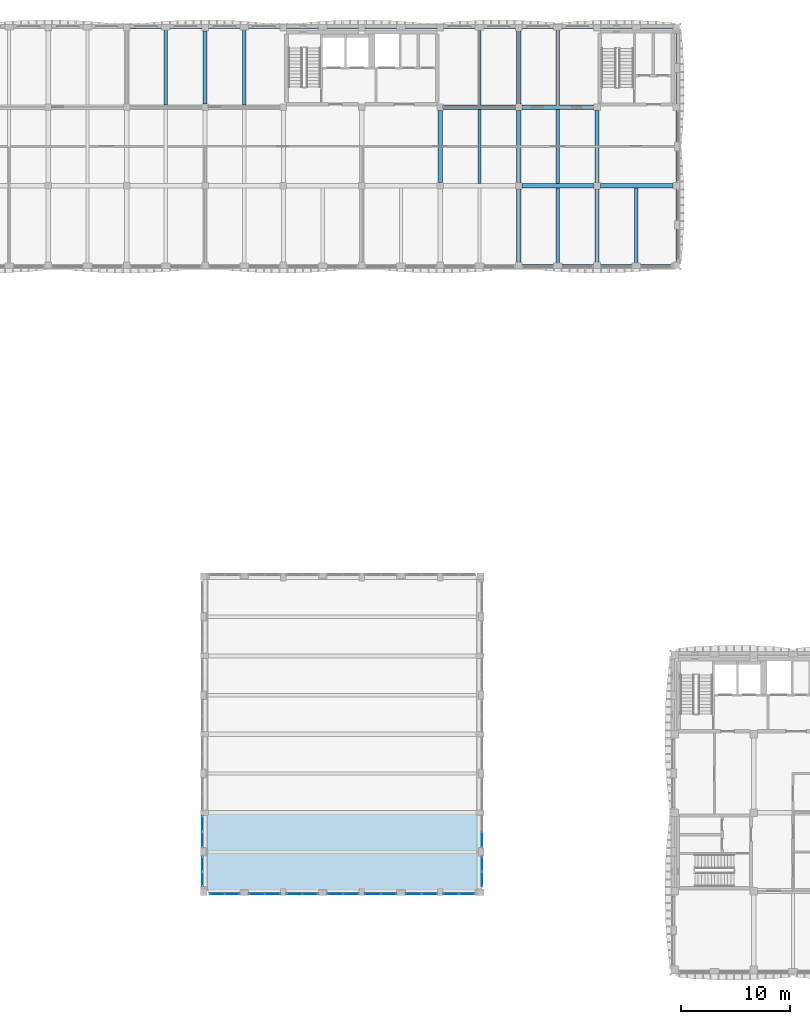
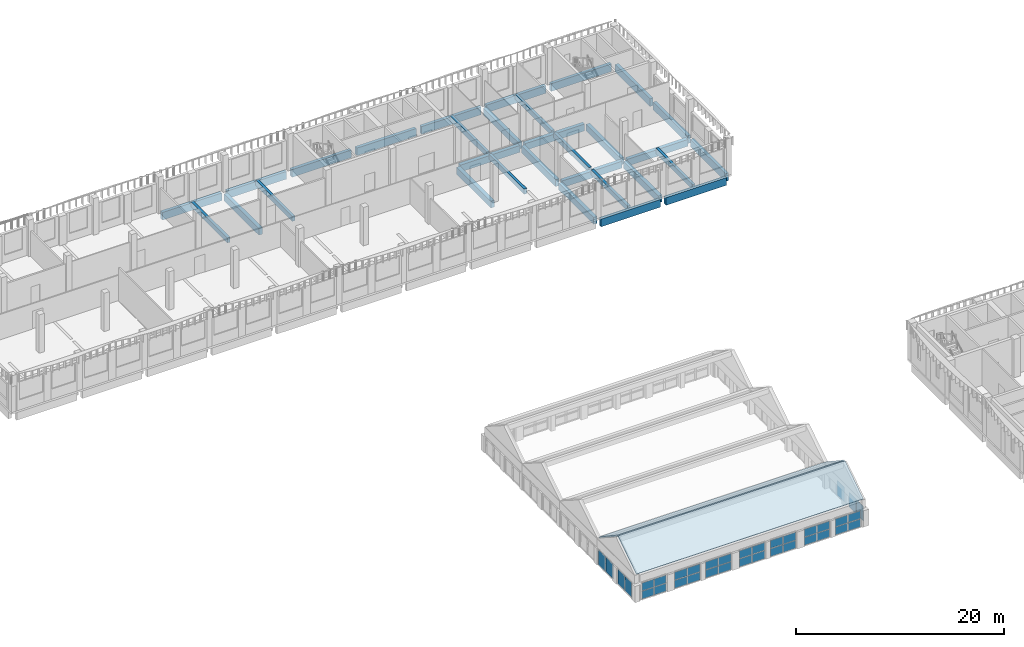
# One storey, part 7 of 38: 35 plates, 31 beams, 2 slabs, 11 elements without a shape of their own.
"""IFC4 building model written with IfcOpenShell, lengths in metres."""

import ifcopenshell
import ifcopenshell.guid

model = None  # the IFC model being written
_history = None  # IfcOwnerHistory: only IFC2X3 demands one
_inside = {}  # id of a spatial element -> (the spatial element, [elements in it])
_under = {}  # id of a project, library or spatial element -> (it, [spatial elements below it])
_declared = {}  # id of a project -> (the project, [libraries it declares])
_typed = {}  # id of a type object -> (the type object, [elements of that type])
_made_of = {}  # id of a material, layer set ... -> (it, [elements and type objects made of it])


def new_model(schema):
    """Start an empty IFC model of exactly this schema.

    Asked for "IFC4X3", IfcOpenShell would pick the latest addendum, in which some entities
    have other attributes; the version numbers below select the first issue.
    IFC2X3 requires an IfcOwnerHistory on every rooted entity: one is made here for all.
    """
    global model, _history
    if schema == "IFC4X3":
        model = ifcopenshell.file(schema_version=(4, 3, 0, 0))
    else:
        model = ifcopenshell.file(schema=schema)
    _inside.clear()
    _under.clear()
    _declared.clear()
    _typed.clear()
    _made_of.clear()
    _history = None
    if model.schema == "IFC2X3":
        org = make("IfcOrganization", Name="unknown")
        user = make(
            "IfcPersonAndOrganization",
            ThePerson=make("IfcPerson", FamilyName="unknown"),
            TheOrganization=org,
        )
        app = make(
            "IfcApplication",
            ApplicationDeveloper=org,
            Version="unknown",
            ApplicationFullName="unknown",
            ApplicationIdentifier="unknown",
        )
        _history = make(
            "IfcOwnerHistory",
            OwningUser=user,
            OwningApplication=app,
            ChangeAction="ADDED",
            CreationDate=0,
        )
    return model


def make(cls, **values):
    """One entity of the class cls with the attributes given. An attribute that is None is left unset."""
    return model.create_entity(
        cls, **{name: value for name, value in values.items() if value is not None}
    )


def rooted(cls, **values):
    """An entity with a GlobalId (a new one), such as an element, a storey or a relation."""
    return make(cls, GlobalId=ifcopenshell.guid.new(), OwnerHistory=_history, **values)


def si_unit(unit_type, name, prefix=None):
    """IfcSIUnit, for example si_unit("LENGTHUNIT", "METRE", prefix="MILLI")."""
    return make("IfcSIUnit", UnitType=unit_type, Prefix=prefix, Name=name)


def assignment(units):
    """IfcUnitAssignment: the units of a project."""
    return None if units is None else make("IfcUnitAssignment", Units=units)


def point(xyz):
    """IfcCartesianPoint."""
    return None if xyz is None else make("IfcCartesianPoint", Coordinates=xyz)


def direction(xyz):
    """IfcDirection."""
    return None if xyz is None else make("IfcDirection", DirectionRatios=xyz)


def frame(location, z_axis=None, x_axis=None):
    """IfcAxis2Placement3D, a coordinate frame: its origin and axes. An axis left out is left unset."""
    return make(
        "IfcAxis2Placement3D",
        Location=point(location),
        Axis=direction(z_axis),
        RefDirection=direction(x_axis),
    )


def frame_2d(location, x_axis=None):
    """IfcAxis2Placement2D, a coordinate frame in the plane: its origin and x axis."""
    return make(
        "IfcAxis2Placement2D", Location=point(location), RefDirection=direction(x_axis)
    )


def origin():
    """The frame at (0, 0, 0) with its axes left unset."""
    return frame((0.0, 0.0, 0.0))


def origin_2d():
    """The frame at (0, 0) in the plane with its x axis left unset."""
    return frame_2d((0.0, 0.0))


def place(relative_to, where):
    """IfcLocalPlacement: puts the frame where relative to a parent placement (None: the world)."""
    return make(
        "IfcLocalPlacement", PlacementRelTo=relative_to, RelativePlacement=where
    )


def context(
    kind, dimensions, precision=None, world=None, true_north=None, identifier=None
):
    """IfcGeometricRepresentationContext, for example the 3D "Model" context."""
    return make(
        "IfcGeometricRepresentationContext",
        ContextIdentifier=identifier,
        ContextType=kind,
        CoordinateSpaceDimension=dimensions,
        Precision=precision,
        WorldCoordinateSystem=world,
        TrueNorth=true_north,
    )


def subcontext(parent, identifier, kind, view, scale=None):
    """IfcGeometricRepresentationSubContext, for example "Body" below "Model"."""
    return make(
        "IfcGeometricRepresentationSubContext",
        ContextIdentifier=identifier,
        ContextType=kind,
        ParentContext=parent,
        TargetScale=scale,
        TargetView=view,
    )


def project(units=None, contexts=None):
    """IfcProject with its units and contexts."""
    return rooted(
        "IfcProject",
        Name="project",
        RepresentationContexts=contexts,
        UnitsInContext=assignment(units),
    )


def spatial(cls, under=None, at=None, **own):
    """A site, building, storey or space (cls), placed at a placement, below another one or the project."""
    s = rooted(cls, ObjectPlacement=at, **own)
    if under is not None:
        _under.setdefault(under.id(), (under, []))[1].append(s)
    return s


def polyline(points):
    """IfcPolyline through the points."""
    return make("IfcPolyline", Points=[point(p) for p in points])


def profile(cls, at=None, kind="AREA", **sizes):
    """A parametric profile (cls). Its sizes go by their IFC names, for example OverallWidth=200.0."""
    return make(cls, ProfileType=kind, Position=at, **sizes)


def rectangle(**sizes):
    """IfcRectangleProfileDef."""
    return profile("IfcRectangleProfileDef", **sizes)


def outline(outer, holes=None, kind="AREA"):
    """IfcArbitraryClosedProfileDef: a profile drawn as a closed curve; with holes, ...WithVoids."""
    if holes is None:
        return make("IfcArbitraryClosedProfileDef", ProfileType=kind, OuterCurve=outer)
    return make(
        "IfcArbitraryProfileDefWithVoids",
        ProfileType=kind,
        OuterCurve=outer,
        InnerCurves=holes,
    )


def extrude(swept, where, along, depth):
    """IfcExtrudedAreaSolid: the profile swept, set in the frame where, extruded along a direction by depth."""
    return make(
        "IfcExtrudedAreaSolid",
        SweptArea=swept,
        Position=where,
        ExtrudedDirection=direction(along),
        Depth=depth,
    )


def shape(context_of_items, identifier, shape_type, items):
    """IfcShapeRepresentation: the items that make up one representation, for example the "Body"."""
    return make(
        "IfcShapeRepresentation",
        ContextOfItems=context_of_items,
        RepresentationIdentifier=identifier,
        RepresentationType=shape_type,
        Items=items,
    )


def material(Name=None, Category=None):
    """IfcMaterial."""
    return make("IfcMaterial", Name=Name, Category=Category)


def layer(
    of_material, thickness, ventilated=None, Name=None, Category=None, Priority=None
):
    """IfcMaterialLayer: one layer of a wall or slab, of a material (None: an air gap)."""
    return make(
        "IfcMaterialLayer",
        Material=of_material,
        LayerThickness=thickness,
        IsVentilated=ventilated,
        Name=Name,
        Category=Category,
        Priority=Priority,
    )


def layer_set(layers, Name=None):
    """IfcMaterialLayerSet."""
    return make("IfcMaterialLayerSet", MaterialLayers=layers, LayerSetName=Name)


def material_profile(
    of_material, cross_section, Name=None, Category=None, Priority=None
):
    """IfcMaterialProfile: a cross section and its material."""
    return make(
        "IfcMaterialProfile",
        Name=Name,
        Material=of_material,
        Profile=cross_section,
        Priority=Priority,
        Category=Category,
    )


def profile_set(profiles, Name=None, composite=None):
    """IfcMaterialProfileSet."""
    return make(
        "IfcMaterialProfileSet",
        Name=Name,
        MaterialProfiles=profiles,
        CompositeProfile=composite,
    )


def made_of(thing, what):
    """Note that an element or type object is made of a material, layer set ...; save() writes the relation."""
    if what is not None:
        _made_of.setdefault(what.id(), (what, []))[1].append(thing)
    return thing


def type_object(cls, material=None, **own):
    """A type object (cls), such as IfcWallType, which elements share."""
    return made_of(rooted(cls, **own), material)


def element(
    cls,
    number,
    at=None,
    inside=None,
    cuts=None,
    type_object=None,
    material=None,
    context=None,
    identifier="Body",
    shape_type=None,
    held_by="IfcProductDefinitionShape",
    body=None,
    shapes=None,
    **own,
):
    """One element of the class cls, such as IfcWall. Its Tag is "e" and its number.

    at: its placement. inside: the storey or other place that contains it. cuts: it is an
    opening in that element (IfcRelVoidsElement). A single representation is given by context,
    identifier, shape_type and body (its items); several are given by shapes. held_by: the class
    of the entity that holds the representations. save() writes the other relations.
    """
    e = rooted(cls, Tag="e%d" % number, ObjectPlacement=at, **own)
    if body is not None:
        shapes = [shape(context, identifier, shape_type, body)]
    if shapes is not None:
        e.Representation = make(held_by, Representations=shapes)
    if inside is not None:
        _inside.setdefault(inside.id(), (inside, []))[1].append(e)
    if cuts is not None:
        rooted(
            "IfcRelVoidsElement", RelatingBuildingElement=cuts, RelatedOpeningElement=e
        )
    if type_object is not None:
        _typed.setdefault(type_object.id(), (type_object, []))[1].append(e)
    return made_of(e, material)


def aggregate(whole, parts):
    """IfcRelAggregates: a whole, such as a stair, and the parts it consists of."""
    return rooted("IfcRelAggregates", RelatingObject=whole, RelatedObjects=parts)


def save(model, path):
    """Write the relations noted so far, then the file.

    IfcRelAggregates (storeys below a building ...), IfcRelContainedInSpatialStructure (elements
    in a storey), IfcRelDefinesByType, IfcRelAssociatesMaterial and IfcRelDeclares: one each for
    every whole, place, type object, material and project.
    """
    for whole, parts in _under.values():
        aggregate(whole, parts)
    for where, things in _inside.values():
        rooted(
            "IfcRelContainedInSpatialStructure",
            RelatedElements=things,
            RelatingStructure=where,
        )
    for kind, things in _typed.values():
        rooted("IfcRelDefinesByType", RelatedObjects=things, RelatingType=kind)
    for what, things in _made_of.values():
        rooted("IfcRelAssociatesMaterial", RelatedObjects=things, RelatingMaterial=what)
    for by, libraries in _declared.values():
        rooted("IfcRelDeclares", RelatingContext=by, RelatedDefinitions=libraries)
    model.write(path)


model = new_model("IFC4")

# Units and contexts
model_context = context("Model", 3, precision=1e-05, world=origin(), true_north=direction((0.0, 1.0)))
body_context = subcontext(model_context, "Body", "Model", "MODEL_VIEW")
ifc_project = project(units=[si_unit("LENGTHUNIT", "METRE"), si_unit("AREAUNIT", "SQUARE_METRE"), si_unit("VOLUMEUNIT", "CUBIC_METRE"), si_unit("PLANEANGLEUNIT", "RADIAN"), si_unit("MASSUNIT", "GRAM", prefix="KILO")], contexts=[model_context])

# Site, building, storey
site_placement = place(None, origin())
site = spatial("IfcSite", under=ifc_project, at=site_placement, CompositionType="ELEMENT")
building_placement = place(site_placement, origin())
building = spatial("IfcBuilding", under=site, at=building_placement, Name="Ussher Court Research Institute", CompositionType="ELEMENT")
storey_placement = place(building_placement, frame((0.0, 0.0, 23.39990234375)))
storey = spatial("IfcBuildingStorey", under=building, at=storey_placement, Name="L05", CompositionType="ELEMENT", Elevation=23.39990234375)

# Beams
ifc_material_1 = material(Name="Concrete C35/45", Category="concrete")
ifc_material_profile_1 = material_profile(ifc_material_1, rectangle(XDim=0.300048828125, YDim=0.60009765625, at=origin_2d()), Name="RC 300x600")
ifc_profile_set_1 = profile_set([ifc_material_profile_1], Name="Concrete C35/45")
beam_type_1 = type_object("IfcBeamType", Name="RC 300x600 beam", PredefinedType="BEAM", material=ifc_profile_set_1)
for number, where, z_axis, x_axis, name in (
    (1, (35.39990234375, 83.39990234375, -0.2998046875), (0.0, 1.0, 0.0), (-1.0, 0.0, 0.0), "B3 V5 L05-13"),
    (2, (42.60009765625, 83.39990234375, -0.2998046875), (0.0, 1.0, 0.0), (-1.0, 0.0, 0.0), "B3 V5 L05-16"),
):
    element("IfcBeam", number, at=place(storey_placement, frame(where, z_axis=z_axis, x_axis=x_axis)), inside=storey, type_object=beam_type_1, Name=name, PredefinedType="BEAM", context=body_context, shape_type="SweptSolid", body=[
        extrude(rectangle(XDim=0.300048828125, YDim=0.60009765625, at=origin_2d()), origin(), (0.0, 0.0, 1.0), 7.050048828125),
    ])
beam_1_placement = place(storey_placement, frame((64.199951171875, 76.199951171875, -0.2998046875), z_axis=(0.0, 1.0, 0.0), x_axis=(-1.0, 0.0, 0.0)))
element("IfcBeam", 3, at=beam_1_placement, inside=storey, type_object=beam_type_1, Name="B3 V5 L05-20", PredefinedType="BEAM", context=body_context, shape_type="SweptSolid", body=[
    extrude(rectangle(XDim=0.300048828125, YDim=0.60009765625, at=origin_2d()), origin(), (0.0, 0.0, 1.0), 6.800048828125),
])
for number, where, z_axis, x_axis, name in (
    (4, (64.199951171875, 83.39990234375, -0.2998046875), (0.0, 1.0, 0.0), (-1.0, 0.0, 0.0), "B3 V5 L05-21"),
    (5, (71.39990234375, 68.75, -0.2998046875), (0.0, 1.0, 0.0), (-1.0, 0.0, 0.0), "B3 V5 L05-22"),
):
    element("IfcBeam", number, at=place(storey_placement, frame(where, z_axis=z_axis, x_axis=x_axis)), inside=storey, type_object=beam_type_1, Name=name, PredefinedType="BEAM", context=body_context, shape_type="SweptSolid", body=[
        extrude(rectangle(XDim=0.300048828125, YDim=0.60009765625, at=origin_2d()), origin(), (0.0, 0.0, 1.0), 7.050048828125),
    ])
beam_2_placement = place(storey_placement, frame((71.39990234375, 76.199951171875, -0.2998046875), z_axis=(0.0, 1.0, 0.0), x_axis=(-1.0, 0.0, 0.0)))
element("IfcBeam", 6, at=beam_2_placement, inside=storey, type_object=beam_type_1, Name="B3 V5 L05-23", PredefinedType="BEAM", context=body_context, shape_type="SweptSolid", body=[
    extrude(rectangle(XDim=0.300048828125, YDim=0.60009765625, at=origin_2d()), origin(), (0.0, 0.0, 1.0), 6.800048828125),
])
for number, where, z_axis, x_axis, name in (
    (7, (71.39990234375, 83.39990234375, -0.2998046875), (0.0, 1.0, 0.0), (-1.0, 0.0, 0.0), "B3 V5 L05-24"),
    (8, (78.60009765625, 68.75, -0.2998046875), (0.0, 1.0, 0.0), (-1.0, 0.0, 0.0), "B3 V5 L05-25"),
):
    element("IfcBeam", number, at=place(storey_placement, frame(where, z_axis=z_axis, x_axis=x_axis)), inside=storey, type_object=beam_type_1, Name=name, PredefinedType="BEAM", context=body_context, shape_type="SweptSolid", body=[
        extrude(rectangle(XDim=0.300048828125, YDim=0.60009765625, at=origin_2d()), origin(), (0.0, 0.0, 1.0), 7.050048828125),
    ])
ifc_material_2 = material(Name="Concrete C35/45", Category="concrete")
ifc_material_profile_2 = material_profile(ifc_material_2, rectangle(XDim=0.35009765625, YDim=0.89990234375, at=origin_2d()), Name="RC 350x900")
ifc_profile_set_2 = profile_set([ifc_material_profile_2], Name="Concrete C35/45")
beam_type_2 = type_object("IfcBeamType", Name="RC 350x900 beam", PredefinedType="BEAM", material=ifc_profile_set_2)
beam_3_placement = place(storey_placement, frame((68.10009765625, 68.574951171875, -0.64990234375), z_axis=(1.0, 0.0, 0.0), x_axis=(0.0, 1.0, 0.0)))
element("IfcBeam", 9, at=beam_3_placement, inside=storey, type_object=beam_type_2, Name="SB1 V5 L05-10", PredefinedType="BEAM", context=body_context, shape_type="SweptSolid", body=[
    extrude(rectangle(XDim=0.35009765625, YDim=0.89990234375, at=origin_2d()), origin(), (0.0, 0.0, 1.0), 6.599853515625),
])
beam_4_placement = place(storey_placement, frame((75.300048828125, 68.574951171875, -0.64990234375), z_axis=(1.0, 0.0, 0.0), x_axis=(0.0, 1.0, 0.0)))
element("IfcBeam", 10, at=beam_4_placement, inside=storey, type_object=beam_type_2, Name="SB1 V5 L05-11", PredefinedType="BEAM", context=body_context, shape_type="SweptSolid", body=[
    extrude(rectangle(XDim=0.35009765625, YDim=0.89990234375, at=origin_2d()), origin(), (0.0, 0.0, 1.0), 6.699951171875),
])
for number, where, z_axis, x_axis, name in (
    (11, (32.10009765625, 90.625, -0.64990234375), (1.0, 0.0, 0.0), (0.0, 1.0, 0.0), "SB1 V5 L05-16"),
    (12, (39.300048828125, 90.625, -0.64990234375), (1.0, 0.0, 0.0), (0.0, 1.0, 0.0), "SB1 V5 L05-17"),
):
    element("IfcBeam", number, at=place(storey_placement, frame(where, z_axis=z_axis, x_axis=x_axis)), inside=storey, type_object=beam_type_2, Name=name, PredefinedType="BEAM", context=body_context, shape_type="SweptSolid", body=[
        extrude(rectangle(XDim=0.35009765625, YDim=0.89990234375, at=origin_2d()), origin(), (0.0, 0.0, 1.0), 6.599853515625),
    ])
for number, where, z_axis, x_axis, name in (
    (13, (46.5, 90.625, -0.64990234375), (1.0, 0.0, 0.0), (0.0, 1.0, 0.0), "SB1 V5 L05-18"),
    (14, (53.699951171875, 90.625, -0.64990234375), (1.0, 0.0, 0.0), (0.0, 1.0, 0.0), "SB1 V5 L05-19"),
    (15, (60.89990234375, 90.625, -0.64990234375), (1.0, 0.0, 0.0), (0.0, 1.0, 0.0), "SB1 V5 L05-20"),
):
    element("IfcBeam", number, at=place(storey_placement, frame(where, z_axis=z_axis, x_axis=x_axis)), inside=storey, type_object=beam_type_2, Name=name, PredefinedType="BEAM", context=body_context, shape_type="SweptSolid", body=[
        extrude(rectangle(XDim=0.35009765625, YDim=0.89990234375, at=origin_2d()), origin(), (0.0, 0.0, 1.0), 6.60009765625),
    ])
beam_5_placement = place(storey_placement, frame((68.10009765625, 90.625, -0.64990234375), z_axis=(1.0, 0.0, 0.0), x_axis=(0.0, 1.0, 0.0)))
element("IfcBeam", 16, at=beam_5_placement, inside=storey, type_object=beam_type_2, Name="SB1 V5 L05-21", PredefinedType="BEAM", context=body_context, shape_type="SweptSolid", body=[
    extrude(rectangle(XDim=0.35009765625, YDim=0.89990234375, at=origin_2d()), origin(), (0.0, 0.0, 1.0), 6.599853515625),
])
for number, where, z_axis, x_axis, name in (
    (17, (75.300048828125, 90.625, -0.64990234375), (1.0, 0.0, 0.0), (0.0, 1.0, 0.0), "SB1 V5 L05-22"),
    (18, (82.425048828125, 69.0, -0.64990234375), (0.0, 1.0, 0.0), (-1.0, 0.0, 0.0), "SB1 V5 L05-26"),
):
    element("IfcBeam", number, at=place(storey_placement, frame(where, z_axis=z_axis, x_axis=x_axis)), inside=storey, type_object=beam_type_2, Name=name, PredefinedType="BEAM", context=body_context, shape_type="SweptSolid", body=[
        extrude(rectangle(XDim=0.35009765625, YDim=0.89990234375, at=origin_2d()), origin(), (0.0, 0.0, 1.0), 6.699951171875),
    ])
beam_6_placement = place(storey_placement, frame((82.425048828125, 76.300048828125, -0.64990234375), z_axis=(0.0, 1.0, 0.0), x_axis=(-1.0, 0.0, 0.0)))
element("IfcBeam", 19, at=beam_6_placement, inside=storey, type_object=beam_type_2, Name="SB1 V5 L05-27", PredefinedType="BEAM", context=body_context, shape_type="SweptSolid", body=[
    extrude(rectangle(XDim=0.35009765625, YDim=0.89990234375, at=origin_2d()), origin(), (0.0, 0.0, 1.0), 6.599853515625),
])
beam_7_placement = place(storey_placement, frame((82.425048828125, 83.5, -0.64990234375), z_axis=(0.0, 1.0, 0.0), x_axis=(-1.0, 0.0, 0.0)))
element("IfcBeam", 20, at=beam_7_placement, inside=storey, type_object=beam_type_2, Name="SB1 V5 L05-28", PredefinedType="BEAM", context=body_context, shape_type="SweptSolid", body=[
    extrude(rectangle(XDim=0.35009765625, YDim=0.89990234375, at=origin_2d()), origin(), (0.0, 0.0, 1.0), 6.699951171875),
])
ifc_material_3 = material(Name="Concrete C35/45", Category="concrete")
ifc_material_profile_3 = material_profile(ifc_material_3, rectangle(XDim=0.39990234375, YDim=0.800048828125, at=origin_2d()), Name="RC 400x800")
ifc_profile_set_3 = profile_set([ifc_material_profile_3], Name="Concrete C35/45")
beam_type_3 = type_object("IfcBeamType", Name="RC 400x800 beam", PredefinedType="BEAM", material=ifc_profile_set_3)
beam_8_placement = place(storey_placement, frame((68.10009765625, 76.0, -0.599853515625), z_axis=(1.0, 0.0, 0.0), x_axis=(0.0, 1.0, 0.0)))
element("IfcBeam", 21, at=beam_8_placement, inside=storey, type_object=beam_type_3, Name="B17 V5 L05-10", PredefinedType="BEAM", context=body_context, shape_type="SweptSolid", body=[
    extrude(rectangle(XDim=0.39990234375, YDim=0.800048828125, at=origin_2d()), origin(), (0.0, 0.0, 1.0), 6.599853515625),
])
beam_9_placement = place(storey_placement, frame((75.300048828125, 76.0, -0.599853515625), z_axis=(1.0, 0.0, 0.0), x_axis=(0.0, 1.0, 0.0)))
element("IfcBeam", 22, at=beam_9_placement, inside=storey, type_object=beam_type_3, Name="B17 V5 L05-11", PredefinedType="BEAM", context=body_context, shape_type="SweptSolid", body=[
    extrude(rectangle(XDim=0.39990234375, YDim=0.800048828125, at=origin_2d()), origin(), (0.0, 0.0, 1.0), 6.699951171875),
])
beam_10_placement = place(storey_placement, frame((60.89990234375, 83.199951171875, -0.599853515625), z_axis=(1.0, 0.0, 0.0), x_axis=(0.0, 1.0, 0.0)))
element("IfcBeam", 23, at=beam_10_placement, inside=storey, type_object=beam_type_3, Name="B17 V5 L05-17", PredefinedType="BEAM", context=body_context, shape_type="SweptSolid", body=[
    extrude(rectangle(XDim=0.39990234375, YDim=0.800048828125, at=origin_2d()), origin(), (0.0, 0.0, 1.0), 6.60009765625),
])
beam_11_placement = place(storey_placement, frame((68.10009765625, 83.199951171875, -0.599853515625), z_axis=(1.0, 0.0, 0.0), x_axis=(0.0, 1.0, 0.0)))
element("IfcBeam", 24, at=beam_11_placement, inside=storey, type_object=beam_type_3, Name="B17 V5 L05-18", PredefinedType="BEAM", context=body_context, shape_type="SweptSolid", body=[
    extrude(rectangle(XDim=0.39990234375, YDim=0.800048828125, at=origin_2d()), origin(), (0.0, 0.0, 1.0), 6.599853515625),
])
beam_12_placement = place(storey_placement, frame((39.0, 83.5, -0.599853515625), z_axis=(0.0, 1.0, 0.0), x_axis=(-1.0, 0.0, 0.0)))
element("IfcBeam", 25, at=beam_12_placement, inside=storey, type_object=beam_type_3, Name="B17 V5 L05-32", PredefinedType="BEAM", context=body_context, shape_type="SweptSolid", body=[
    extrude(rectangle(XDim=0.39990234375, YDim=0.800048828125, at=origin_2d()), origin(), (0.0, 0.0, 1.0), 6.699951171875),
])
beam_13_placement = place(storey_placement, frame((60.60009765625, 76.300048828125, -0.599853515625), z_axis=(0.0, 1.0, 0.0), x_axis=(-1.0, 0.0, 0.0)))
element("IfcBeam", 26, at=beam_13_placement, inside=storey, type_object=beam_type_3, Name="B17 V5 L05-38", PredefinedType="BEAM", context=body_context, shape_type="SweptSolid", body=[
    extrude(rectangle(XDim=0.39990234375, YDim=0.800048828125, at=origin_2d()), origin(), (0.0, 0.0, 1.0), 6.599853515625),
])
beam_14_placement = place(storey_placement, frame((67.800048828125, 69.0, -0.599853515625), z_axis=(0.0, 1.0, 0.0), x_axis=(-1.0, 0.0, 0.0)))
element("IfcBeam", 27, at=beam_14_placement, inside=storey, type_object=beam_type_3, Name="B17 V5 L05-39", PredefinedType="BEAM", context=body_context, shape_type="SweptSolid", body=[
    extrude(rectangle(XDim=0.39990234375, YDim=0.800048828125, at=origin_2d()), origin(), (0.0, 0.0, 1.0), 6.699951171875),
])
beam_15_placement = place(storey_placement, frame((67.800048828125, 76.300048828125, -0.599853515625), z_axis=(0.0, 1.0, 0.0), x_axis=(-1.0, 0.0, 0.0)))
element("IfcBeam", 28, at=beam_15_placement, inside=storey, type_object=beam_type_3, Name="B17 V5 L05-40", PredefinedType="BEAM", context=body_context, shape_type="SweptSolid", body=[
    extrude(rectangle(XDim=0.39990234375, YDim=0.800048828125, at=origin_2d()), origin(), (0.0, 0.0, 1.0), 6.599853515625),
])
for number, where, z_axis, x_axis, name in (
    (29, (67.800048828125, 83.5, -0.599853515625), (0.0, 1.0, 0.0), (-1.0, 0.0, 0.0), "B17 V5 L05-41"),
    (30, (75.0, 69.0, -0.599853515625), (0.0, 1.0, 0.0), (-1.0, 0.0, 0.0), "B17 V5 L05-42"),
):
    element("IfcBeam", number, at=place(storey_placement, frame(where, z_axis=z_axis, x_axis=x_axis)), inside=storey, type_object=beam_type_3, Name=name, PredefinedType="BEAM", context=body_context, shape_type="SweptSolid", body=[
        extrude(rectangle(XDim=0.39990234375, YDim=0.800048828125, at=origin_2d()), origin(), (0.0, 0.0, 1.0), 6.699951171875),
    ])
beam_16_placement = place(storey_placement, frame((75.0, 76.300048828125, -0.599853515625), z_axis=(0.0, 1.0, 0.0), x_axis=(-1.0, 0.0, 0.0)))
element("IfcBeam", 31, at=beam_16_placement, inside=storey, type_object=beam_type_3, Name="B17 V5 L05-43", PredefinedType="BEAM", context=body_context, shape_type="SweptSolid", body=[
    extrude(rectangle(XDim=0.39990234375, YDim=0.800048828125, at=origin_2d()), origin(), (0.0, 0.0, 1.0), 6.599853515625),
])

# Slabs
ifc_material_4 = material(Name="Concrete C35/45", Category="concrete")
ifc_layer_1 = layer(ifc_material_4, 0.14990234375)
ifc_layer_set_1 = layer_set([ifc_layer_1], Name="Concrete C35/45")
slab_type = type_object("IfcSlabType", Name="Folded roof plate 150", PredefinedType="ROOF", material=ifc_layer_set_1)
slab_1_placement = place(storey_placement, frame((39.0, 11.199951171875, 3.0), z_axis=(0.0, -0.554686866501, 0.832059180667), x_axis=(1.0, 0.0, 0.0)))
element("IfcSlab", 32, at=slab_1_placement, inside=storey, type_object=slab_type, Name="FP150 V2 L05-01", PredefinedType="ROOF", context=body_context, shape_type="SweptSolid", body=[
    extrude(outline(polyline([(0.0, 0.0), (25.199951171875, 0.0), (25.199951171875, 4.226677362428985), (0.0, 4.226677362428985), (0.0, 0.0)])), origin(), (0.0, 0.0, -1.0), 0.14990234375),
])
slab_2_placement = place(storey_placement, frame((39.0, 18.39990234375, 3.0), z_axis=(0.0, 0.554713526448, 0.832041407368), x_axis=(1.0, 0.0, 0.0)))
element("IfcSlab", 33, at=slab_2_placement, inside=storey, type_object=slab_type, Name="FP150 V2 L05-02", PredefinedType="ROOF", context=body_context, shape_type="SweptSolid", body=[
    extrude(outline(polyline([(0.0, 0.0), (25.199951171875, 0.0), (25.199951171875, -4.22647422515012), (0.0, -4.22647422515012), (0.0, 0.0)])), origin(), (0.0, 0.0, -1.0), 0.14990234375),
])

# Curtain wall, plate
ifc_material_5 = material(Name="Bronze anodised aluminium with low-e glass", Category="aluminium")
ifc_layer_2 = layer(ifc_material_5, 0.159912109375)
ifc_layer_set_2 = layer_set([ifc_layer_2], Name="Bronze anodised aluminium with low-e glass")
curtain_wall_type = type_object("IfcCurtainWallType", Name="Curtain wall atrium clerestory tall glazing", PredefinedType="NOTDEFINED", material=ifc_layer_set_2)
curtain_wall_1_placement = place(storey_placement, origin())
curtain_wall_1 = element("IfcCurtainWall", 34, at=curtain_wall_1_placement, inside=storey, type_object=curtain_wall_type, Name="Curtain wall CW3 L05", PredefinedType="NOTDEFINED")
ifc_material_6 = material(Name="Double glazed unit laminated")
ifc_layer_3 = layer(ifc_material_6, 0.035888671875)
ifc_layer_set_3 = layer_set([ifc_layer_3], Name="Double glazed unit laminated")
plate_type = type_object("IfcPlateType", Name="Glazing panel 36 mm", PredefinedType="CURTAIN_PANEL", material=ifc_layer_set_3)
plate_1_placement = place(storey_placement, frame((64.449951171875, 15.952392578125, 0.06005859375), z_axis=(0.0, 0.0, 1.0), x_axis=(0.0, -1.0, 0.0)))
plate_1 = element("IfcPlate", 35, at=plate_1_placement, type_object=plate_type, Name="CW3 panel 2.1", PredefinedType="CURTAIN_PANEL", context=body_context, shape_type="SweptSolid", body=[
    extrude(rectangle(XDim=1.385009765625, YDim=0.035888671875, at=origin_2d()), origin(), (0.0, 0.0, 1.0), 1.72998046875),
])
aggregate(curtain_wall_1, [plate_1])

# Curtain wall, plates
curtain_wall_2_placement = place(storey_placement, origin())
curtain_wall_2 = element("IfcCurtainWall", 36, at=curtain_wall_2_placement, inside=storey, type_object=curtain_wall_type, Name="Curtain wall CW3 L05", PredefinedType="NOTDEFINED")
plate_2_placement = place(storey_placement, frame((64.449951171875, 13.68505859375, 0.06005859375), z_axis=(0.0, 0.0, 1.0), x_axis=(0.0, -1.0, 0.0)))
plate_2 = element("IfcPlate", 37, at=plate_2_placement, type_object=plate_type, Name="CW3 panel 1.1", PredefinedType="CURTAIN_PANEL", context=body_context, shape_type="SweptSolid", body=[
    extrude(rectangle(XDim=1.31005859375, YDim=0.035888671875, at=origin_2d()), origin(), (0.0, 0.0, 1.0), 1.72998046875),
])
plate_3_placement = place(storey_placement, frame((64.449951171875, 12.31494140625, 0.06005859375), z_axis=(0.0, 0.0, 1.0), x_axis=(0.0, -1.0, 0.0)))
plate_3 = element("IfcPlate", 38, at=plate_3_placement, type_object=plate_type, Name="CW3 panel 2.1", PredefinedType="CURTAIN_PANEL", context=body_context, shape_type="SweptSolid", body=[
    extrude(rectangle(XDim=1.31005859375, YDim=0.035888671875, at=origin_2d()), origin(), (0.0, 0.0, 1.0), 1.72998046875),
])
aggregate(curtain_wall_2, [plate_2, plate_3])

curtain_wall_3_placement = place(storey_placement, origin())
curtain_wall_3 = element("IfcCurtainWall", 39, at=curtain_wall_3_placement, inside=storey, type_object=curtain_wall_type, Name="Curtain wall CW3 L05", PredefinedType="NOTDEFINED")
plate_4_placement = place(storey_placement, frame((63.047607421875, 10.949951171875, 0.06005859375), z_axis=(0.0, 0.0, 1.0), x_axis=(-1.0, 0.0, 0.0)))
plate_4 = element("IfcPlate", 40, at=plate_4_placement, type_object=plate_type, Name="CW3 panel 1.1", PredefinedType="CURTAIN_PANEL", context=body_context, shape_type="SweptSolid", body=[
    extrude(rectangle(XDim=1.385009765625, YDim=0.035888671875, at=origin_2d()), origin(), (0.0, 0.0, 1.0), 0.909912109375),
])
plate_5_placement = place(storey_placement, frame((63.047607421875, 10.949951171875, 1.0302734375), z_axis=(0.0, 0.0, 1.0), x_axis=(-1.0, 0.0, 0.0)))
plate_5 = element("IfcPlate", 41, at=plate_5_placement, type_object=plate_type, Name="CW3 panel 1.2", PredefinedType="CURTAIN_PANEL", context=body_context, shape_type="SweptSolid", body=[
    extrude(rectangle(XDim=1.385009765625, YDim=0.035888671875, at=origin_2d()), origin(), (0.0, 0.0, 1.0), 0.909912109375),
])
plate_6_placement = place(storey_placement, frame((61.6025390625, 10.949951171875, 0.06005859375), z_axis=(0.0, 0.0, 1.0), x_axis=(-1.0, 0.0, 0.0)))
plate_6 = element("IfcPlate", 42, at=plate_6_placement, type_object=plate_type, Name="CW3 panel 2.1", PredefinedType="CURTAIN_PANEL", context=body_context, shape_type="SweptSolid", body=[
    extrude(rectangle(XDim=1.385009765625, YDim=0.035888671875, at=origin_2d()), origin(), (0.0, 0.0, 1.0), 0.909912109375),
])
plate_7_placement = place(storey_placement, frame((61.6025390625, 10.949951171875, 1.0302734375), z_axis=(0.0, 0.0, 1.0), x_axis=(-1.0, 0.0, 0.0)))
plate_7 = element("IfcPlate", 43, at=plate_7_placement, type_object=plate_type, Name="CW3 panel 2.2", PredefinedType="CURTAIN_PANEL", context=body_context, shape_type="SweptSolid", body=[
    extrude(rectangle(XDim=1.385009765625, YDim=0.035888671875, at=origin_2d()), origin(), (0.0, 0.0, 1.0), 0.909912109375),
])
aggregate(curtain_wall_3, [plate_4, plate_5, plate_6, plate_7])

curtain_wall_4_placement = place(storey_placement, origin())
curtain_wall_4 = element("IfcCurtainWall", 44, at=curtain_wall_4_placement, inside=storey, type_object=curtain_wall_type, Name="Curtain wall CW3 L05", PredefinedType="NOTDEFINED")
plate_8_placement = place(storey_placement, frame((59.597412109375, 10.949951171875, 0.06005859375), z_axis=(0.0, 0.0, 1.0), x_axis=(-1.0, 0.0, 0.0)))
plate_8 = element("IfcPlate", 45, at=plate_8_placement, type_object=plate_type, Name="CW3 panel 1.1", PredefinedType="CURTAIN_PANEL", context=body_context, shape_type="SweptSolid", body=[
    extrude(rectangle(XDim=1.385009765625, YDim=0.035888671875, at=origin_2d()), origin(), (0.0, 0.0, 1.0), 0.909912109375),
])
plate_9_placement = place(storey_placement, frame((59.597412109375, 10.949951171875, 1.0302734375), z_axis=(0.0, 0.0, 1.0), x_axis=(-1.0, 0.0, 0.0)))
plate_9 = element("IfcPlate", 46, at=plate_9_placement, type_object=plate_type, Name="CW3 panel 1.2", PredefinedType="CURTAIN_PANEL", context=body_context, shape_type="SweptSolid", body=[
    extrude(rectangle(XDim=1.385009765625, YDim=0.035888671875, at=origin_2d()), origin(), (0.0, 0.0, 1.0), 0.909912109375),
])
plate_10_placement = place(storey_placement, frame((58.152587890625, 10.949951171875, 0.06005859375), z_axis=(0.0, 0.0, 1.0), x_axis=(-1.0, 0.0, 0.0)))
plate_10 = element("IfcPlate", 47, at=plate_10_placement, type_object=plate_type, Name="CW3 panel 2.1", PredefinedType="CURTAIN_PANEL", context=body_context, shape_type="SweptSolid", body=[
    extrude(rectangle(XDim=1.385009765625, YDim=0.035888671875, at=origin_2d()), origin(), (0.0, 0.0, 1.0), 0.909912109375),
])
plate_11_placement = place(storey_placement, frame((58.152587890625, 10.949951171875, 1.0302734375), z_axis=(0.0, 0.0, 1.0), x_axis=(-1.0, 0.0, 0.0)))
plate_11 = element("IfcPlate", 48, at=plate_11_placement, type_object=plate_type, Name="CW3 panel 2.2", PredefinedType="CURTAIN_PANEL", context=body_context, shape_type="SweptSolid", body=[
    extrude(rectangle(XDim=1.385009765625, YDim=0.035888671875, at=origin_2d()), origin(), (0.0, 0.0, 1.0), 0.909912109375),
])
aggregate(curtain_wall_4, [plate_8, plate_9, plate_10, plate_11])

curtain_wall_5_placement = place(storey_placement, origin())
curtain_wall_5 = element("IfcCurtainWall", 49, at=curtain_wall_5_placement, inside=storey, type_object=curtain_wall_type, Name="Curtain wall CW3 L05", PredefinedType="NOTDEFINED")
plate_12_placement = place(storey_placement, frame((55.847412109375, 10.949951171875, 0.06005859375), z_axis=(0.0, 0.0, 1.0), x_axis=(-1.0, 0.0, 0.0)))
plate_12 = element("IfcPlate", 50, at=plate_12_placement, type_object=plate_type, Name="CW3 panel 1.1", PredefinedType="CURTAIN_PANEL", context=body_context, shape_type="SweptSolid", body=[
    extrude(rectangle(XDim=1.385009765625, YDim=0.035888671875, at=origin_2d()), origin(), (0.0, 0.0, 1.0), 0.909912109375),
])
plate_13_placement = place(storey_placement, frame((55.847412109375, 10.949951171875, 1.0302734375), z_axis=(0.0, 0.0, 1.0), x_axis=(-1.0, 0.0, 0.0)))
plate_13 = element("IfcPlate", 51, at=plate_13_placement, type_object=plate_type, Name="CW3 panel 1.2", PredefinedType="CURTAIN_PANEL", context=body_context, shape_type="SweptSolid", body=[
    extrude(rectangle(XDim=1.385009765625, YDim=0.035888671875, at=origin_2d()), origin(), (0.0, 0.0, 1.0), 0.909912109375),
])
plate_14_placement = place(storey_placement, frame((54.402587890625, 10.949951171875, 0.06005859375), z_axis=(0.0, 0.0, 1.0), x_axis=(-1.0, 0.0, 0.0)))
plate_14 = element("IfcPlate", 52, at=plate_14_placement, type_object=plate_type, Name="CW3 panel 2.1", PredefinedType="CURTAIN_PANEL", context=body_context, shape_type="SweptSolid", body=[
    extrude(rectangle(XDim=1.385009765625, YDim=0.035888671875, at=origin_2d()), origin(), (0.0, 0.0, 1.0), 0.909912109375),
])
plate_15_placement = place(storey_placement, frame((54.402587890625, 10.949951171875, 1.0302734375), z_axis=(0.0, 0.0, 1.0), x_axis=(-1.0, 0.0, 0.0)))
plate_15 = element("IfcPlate", 53, at=plate_15_placement, type_object=plate_type, Name="CW3 panel 2.2", PredefinedType="CURTAIN_PANEL", context=body_context, shape_type="SweptSolid", body=[
    extrude(rectangle(XDim=1.385009765625, YDim=0.035888671875, at=origin_2d()), origin(), (0.0, 0.0, 1.0), 0.909912109375),
])
aggregate(curtain_wall_5, [plate_12, plate_13, plate_14, plate_15])

curtain_wall_6_placement = place(storey_placement, origin())
curtain_wall_6 = element("IfcCurtainWall", 54, at=curtain_wall_6_placement, inside=storey, type_object=curtain_wall_type, Name="Curtain wall CW3 L05", PredefinedType="NOTDEFINED")
plate_16_placement = place(storey_placement, frame((52.3974609375, 10.949951171875, 0.06005859375), z_axis=(0.0, 0.0, 1.0), x_axis=(-1.0, 0.0, 0.0)))
plate_16 = element("IfcPlate", 55, at=plate_16_placement, type_object=plate_type, Name="CW3 panel 1.1", PredefinedType="CURTAIN_PANEL", context=body_context, shape_type="SweptSolid", body=[
    extrude(rectangle(XDim=1.385009765625, YDim=0.035888671875, at=origin_2d()), origin(), (0.0, 0.0, 1.0), 0.909912109375),
])
plate_17_placement = place(storey_placement, frame((52.3974609375, 10.949951171875, 1.0302734375), z_axis=(0.0, 0.0, 1.0), x_axis=(-1.0, 0.0, 0.0)))
plate_17 = element("IfcPlate", 56, at=plate_17_placement, type_object=plate_type, Name="CW3 panel 1.2", PredefinedType="CURTAIN_PANEL", context=body_context, shape_type="SweptSolid", body=[
    extrude(rectangle(XDim=1.385009765625, YDim=0.035888671875, at=origin_2d()), origin(), (0.0, 0.0, 1.0), 0.909912109375),
])
plate_18_placement = place(storey_placement, frame((50.952392578125, 10.949951171875, 0.06005859375), z_axis=(0.0, 0.0, 1.0), x_axis=(-1.0, 0.0, 0.0)))
plate_18 = element("IfcPlate", 57, at=plate_18_placement, type_object=plate_type, Name="CW3 panel 2.1", PredefinedType="CURTAIN_PANEL", context=body_context, shape_type="SweptSolid", body=[
    extrude(rectangle(XDim=1.385009765625, YDim=0.035888671875, at=origin_2d()), origin(), (0.0, 0.0, 1.0), 0.909912109375),
])
plate_19_placement = place(storey_placement, frame((50.952392578125, 10.949951171875, 1.0302734375), z_axis=(0.0, 0.0, 1.0), x_axis=(-1.0, 0.0, 0.0)))
plate_19 = element("IfcPlate", 58, at=plate_19_placement, type_object=plate_type, Name="CW3 panel 2.2", PredefinedType="CURTAIN_PANEL", context=body_context, shape_type="SweptSolid", body=[
    extrude(rectangle(XDim=1.385009765625, YDim=0.035888671875, at=origin_2d()), origin(), (0.0, 0.0, 1.0), 0.909912109375),
])
aggregate(curtain_wall_6, [plate_16, plate_17, plate_18, plate_19])

curtain_wall_7_placement = place(storey_placement, origin())
curtain_wall_7 = element("IfcCurtainWall", 59, at=curtain_wall_7_placement, inside=storey, type_object=curtain_wall_type, Name="Curtain wall CW3 L05", PredefinedType="NOTDEFINED")
plate_20_placement = place(storey_placement, frame((48.6474609375, 10.949951171875, 0.06005859375), z_axis=(0.0, 0.0, 1.0), x_axis=(-1.0, 0.0, 0.0)))
plate_20 = element("IfcPlate", 60, at=plate_20_placement, type_object=plate_type, Name="CW3 panel 1.1", PredefinedType="CURTAIN_PANEL", context=body_context, shape_type="SweptSolid", body=[
    extrude(rectangle(XDim=1.385009765625, YDim=0.035888671875, at=origin_2d()), origin(), (0.0, 0.0, 1.0), 0.909912109375),
])
plate_21_placement = place(storey_placement, frame((48.6474609375, 10.949951171875, 1.0302734375), z_axis=(0.0, 0.0, 1.0), x_axis=(-1.0, 0.0, 0.0)))
plate_21 = element("IfcPlate", 61, at=plate_21_placement, type_object=plate_type, Name="CW3 panel 1.2", PredefinedType="CURTAIN_PANEL", context=body_context, shape_type="SweptSolid", body=[
    extrude(rectangle(XDim=1.385009765625, YDim=0.035888671875, at=origin_2d()), origin(), (0.0, 0.0, 1.0), 0.909912109375),
])
plate_22_placement = place(storey_placement, frame((47.202392578125, 10.949951171875, 0.06005859375), z_axis=(0.0, 0.0, 1.0), x_axis=(-1.0, 0.0, 0.0)))
plate_22 = element("IfcPlate", 62, at=plate_22_placement, type_object=plate_type, Name="CW3 panel 2.1", PredefinedType="CURTAIN_PANEL", context=body_context, shape_type="SweptSolid", body=[
    extrude(rectangle(XDim=1.385009765625, YDim=0.035888671875, at=origin_2d()), origin(), (0.0, 0.0, 1.0), 0.909912109375),
])
plate_23_placement = place(storey_placement, frame((47.202392578125, 10.949951171875, 1.0302734375), z_axis=(0.0, 0.0, 1.0), x_axis=(-1.0, 0.0, 0.0)))
plate_23 = element("IfcPlate", 63, at=plate_23_placement, type_object=plate_type, Name="CW3 panel 2.2", PredefinedType="CURTAIN_PANEL", context=body_context, shape_type="SweptSolid", body=[
    extrude(rectangle(XDim=1.385009765625, YDim=0.035888671875, at=origin_2d()), origin(), (0.0, 0.0, 1.0), 0.909912109375),
])
aggregate(curtain_wall_7, [plate_20, plate_21, plate_22, plate_23])

curtain_wall_8_placement = place(storey_placement, origin())
curtain_wall_8 = element("IfcCurtainWall", 64, at=curtain_wall_8_placement, inside=storey, type_object=curtain_wall_type, Name="Curtain wall CW3 L05", PredefinedType="NOTDEFINED")
plate_24_placement = place(storey_placement, frame((45.197509765625, 10.949951171875, 0.06005859375), z_axis=(0.0, 0.0, 1.0), x_axis=(-1.0, 0.0, 0.0)))
plate_24 = element("IfcPlate", 65, at=plate_24_placement, type_object=plate_type, Name="CW3 panel 1.1", PredefinedType="CURTAIN_PANEL", context=body_context, shape_type="SweptSolid", body=[
    extrude(rectangle(XDim=1.385009765625, YDim=0.035888671875, at=origin_2d()), origin(), (0.0, 0.0, 1.0), 0.909912109375),
])
plate_25_placement = place(storey_placement, frame((45.197509765625, 10.949951171875, 1.0302734375), z_axis=(0.0, 0.0, 1.0), x_axis=(-1.0, 0.0, 0.0)))
plate_25 = element("IfcPlate", 66, at=plate_25_placement, type_object=plate_type, Name="CW3 panel 1.2", PredefinedType="CURTAIN_PANEL", context=body_context, shape_type="SweptSolid", body=[
    extrude(rectangle(XDim=1.385009765625, YDim=0.035888671875, at=origin_2d()), origin(), (0.0, 0.0, 1.0), 0.909912109375),
])
plate_26_placement = place(storey_placement, frame((43.75244140625, 10.949951171875, 0.06005859375), z_axis=(0.0, 0.0, 1.0), x_axis=(-1.0, 0.0, 0.0)))
plate_26 = element("IfcPlate", 67, at=plate_26_placement, type_object=plate_type, Name="CW3 panel 2.1", PredefinedType="CURTAIN_PANEL", context=body_context, shape_type="SweptSolid", body=[
    extrude(rectangle(XDim=1.385009765625, YDim=0.035888671875, at=origin_2d()), origin(), (0.0, 0.0, 1.0), 0.909912109375),
])
plate_27_placement = place(storey_placement, frame((43.75244140625, 10.949951171875, 1.0302734375), z_axis=(0.0, 0.0, 1.0), x_axis=(-1.0, 0.0, 0.0)))
plate_27 = element("IfcPlate", 68, at=plate_27_placement, type_object=plate_type, Name="CW3 panel 2.2", PredefinedType="CURTAIN_PANEL", context=body_context, shape_type="SweptSolid", body=[
    extrude(rectangle(XDim=1.385009765625, YDim=0.035888671875, at=origin_2d()), origin(), (0.0, 0.0, 1.0), 0.909912109375),
])
aggregate(curtain_wall_8, [plate_24, plate_25, plate_26, plate_27])

curtain_wall_9_placement = place(storey_placement, origin())
curtain_wall_9 = element("IfcCurtainWall", 69, at=curtain_wall_9_placement, inside=storey, type_object=curtain_wall_type, Name="Curtain wall CW3 L05", PredefinedType="NOTDEFINED")
plate_28_placement = place(storey_placement, frame((41.485107421875, 10.949951171875, 0.06005859375), z_axis=(0.0, 0.0, 1.0), x_axis=(-1.0, 0.0, 0.0)))
plate_28 = element("IfcPlate", 70, at=plate_28_placement, type_object=plate_type, Name="CW3 panel 1.1", PredefinedType="CURTAIN_PANEL", context=body_context, shape_type="SweptSolid", body=[
    extrude(rectangle(XDim=1.31005859375, YDim=0.035888671875, at=origin_2d()), origin(), (0.0, 0.0, 1.0), 0.909912109375),
])
plate_29_placement = place(storey_placement, frame((41.485107421875, 10.949951171875, 1.0302734375), z_axis=(0.0, 0.0, 1.0), x_axis=(-1.0, 0.0, 0.0)))
plate_29 = element("IfcPlate", 71, at=plate_29_placement, type_object=plate_type, Name="CW3 panel 1.2", PredefinedType="CURTAIN_PANEL", context=body_context, shape_type="SweptSolid", body=[
    extrude(rectangle(XDim=1.31005859375, YDim=0.035888671875, at=origin_2d()), origin(), (0.0, 0.0, 1.0), 0.909912109375),
])
plate_30_placement = place(storey_placement, frame((40.114990234375, 10.949951171875, 0.06005859375), z_axis=(0.0, 0.0, 1.0), x_axis=(-1.0, 0.0, 0.0)))
plate_30 = element("IfcPlate", 72, at=plate_30_placement, type_object=plate_type, Name="CW3 panel 2.1", PredefinedType="CURTAIN_PANEL", context=body_context, shape_type="SweptSolid", body=[
    extrude(rectangle(XDim=1.31005859375, YDim=0.035888671875, at=origin_2d()), origin(), (0.0, 0.0, 1.0), 0.909912109375),
])
plate_31_placement = place(storey_placement, frame((40.114990234375, 10.949951171875, 1.0302734375), z_axis=(0.0, 0.0, 1.0), x_axis=(-1.0, 0.0, 0.0)))
plate_31 = element("IfcPlate", 73, at=plate_31_placement, type_object=plate_type, Name="CW3 panel 2.2", PredefinedType="CURTAIN_PANEL", context=body_context, shape_type="SweptSolid", body=[
    extrude(rectangle(XDim=1.31005859375, YDim=0.035888671875, at=origin_2d()), origin(), (0.0, 0.0, 1.0), 0.909912109375),
])
aggregate(curtain_wall_9, [plate_28, plate_29, plate_30, plate_31])

curtain_wall_10_placement = place(storey_placement, origin())
curtain_wall_10 = element("IfcCurtainWall", 74, at=curtain_wall_10_placement, inside=storey, type_object=curtain_wall_type, Name="Curtain wall CW3 L05", PredefinedType="NOTDEFINED")
plate_32_placement = place(storey_placement, frame((38.75, 12.31494140625, 0.06005859375), z_axis=(0.0, 0.0, 1.0), x_axis=(0.0, 1.0, 0.0)))
plate_32 = element("IfcPlate", 75, at=plate_32_placement, type_object=plate_type, Name="CW3 panel 1.1", PredefinedType="CURTAIN_PANEL", context=body_context, shape_type="SweptSolid", body=[
    extrude(rectangle(XDim=1.31005859375, YDim=0.035888671875, at=origin_2d()), origin(), (0.0, 0.0, 1.0), 1.72998046875),
])
plate_33_placement = place(storey_placement, frame((38.75, 13.68505859375, 0.06005859375), z_axis=(0.0, 0.0, 1.0), x_axis=(0.0, 1.0, 0.0)))
plate_33 = element("IfcPlate", 76, at=plate_33_placement, type_object=plate_type, Name="CW3 panel 2.1", PredefinedType="CURTAIN_PANEL", context=body_context, shape_type="SweptSolid", body=[
    extrude(rectangle(XDim=1.31005859375, YDim=0.035888671875, at=origin_2d()), origin(), (0.0, 0.0, 1.0), 1.72998046875),
])
aggregate(curtain_wall_10, [plate_32, plate_33])

curtain_wall_11_placement = place(storey_placement, origin())
curtain_wall_11 = element("IfcCurtainWall", 77, at=curtain_wall_11_placement, inside=storey, type_object=curtain_wall_type, Name="Curtain wall CW3 L05", PredefinedType="NOTDEFINED")
plate_34_placement = place(storey_placement, frame((38.75, 15.952392578125, 0.06005859375), z_axis=(0.0, 0.0, 1.0), x_axis=(0.0, 1.0, 0.0)))
plate_34 = element("IfcPlate", 78, at=plate_34_placement, type_object=plate_type, Name="CW3 panel 1.1", PredefinedType="CURTAIN_PANEL", context=body_context, shape_type="SweptSolid", body=[
    extrude(rectangle(XDim=1.385009765625, YDim=0.035888671875, at=origin_2d()), origin(), (0.0, 0.0, 1.0), 1.72998046875),
])
plate_35_placement = place(storey_placement, frame((38.75, 17.3974609375, 0.06005859375), z_axis=(0.0, 0.0, 1.0), x_axis=(0.0, 1.0, 0.0)))
plate_35 = element("IfcPlate", 79, at=plate_35_placement, type_object=plate_type, Name="CW3 panel 2.1", PredefinedType="CURTAIN_PANEL", context=body_context, shape_type="SweptSolid", body=[
    extrude(rectangle(XDim=1.385009765625, YDim=0.035888671875, at=origin_2d()), origin(), (0.0, 0.0, 1.0), 1.72998046875),
])
aggregate(curtain_wall_11, [plate_34, plate_35])

save(model, "model.ifc")
